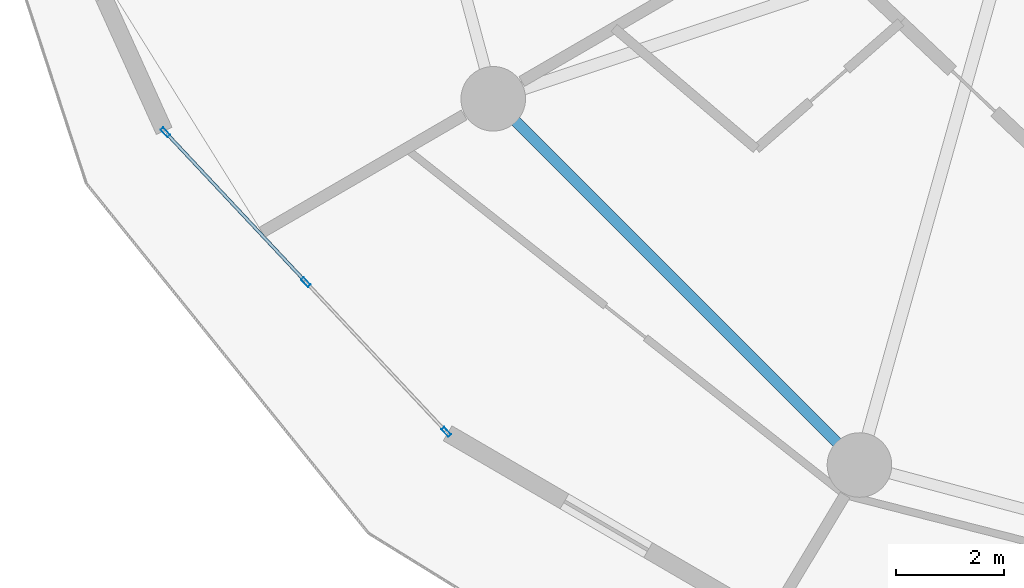
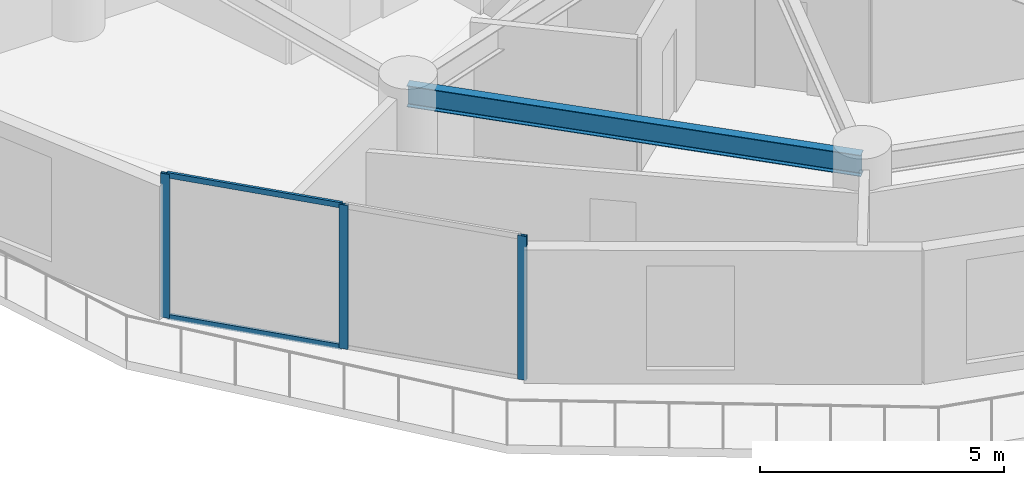
# One storey, part 2 of 23: 5 members, 1 beam, 1 element without a shape of its own.
"""IFC4 building model written with IfcOpenShell, lengths in metres."""

from ifc_helpers import new_model, si_unit, direction, frame, origin, origin_2d, place, context, subcontext, project, spatial, hollow_rectangle, i_section, extrude, source, transform, mapped, material, layer, layer_set, material_profile, profile_set, type_object, element, aggregate, save


model = new_model("IFC4")

# Units and contexts
model_context = context("Model", 3, precision=1e-05, world=origin(), true_north=direction((0.0, 1.0)))
body_context = subcontext(model_context, "Body", "Model", "MODEL_VIEW")
ifc_project = project(units=[si_unit("LENGTHUNIT", "METRE"), si_unit("AREAUNIT", "SQUARE_METRE"), si_unit("VOLUMEUNIT", "CUBIC_METRE"), si_unit("PLANEANGLEUNIT", "RADIAN"), si_unit("MASSUNIT", "GRAM", prefix="KILO")], contexts=[model_context])

# Site, building, storey
site_placement = place(None, origin())
site = spatial("IfcSite", under=ifc_project, at=site_placement, CompositionType="ELEMENT")
building_placement = place(site_placement, origin())
building = spatial("IfcBuilding", under=site, at=building_placement, Name="Solvirekh Grand Hotel", CompositionType="ELEMENT")
storey_placement = place(building_placement, frame((0.0, 0.0, 39.199951171875)))
storey = spatial("IfcBuildingStorey", under=building, at=storey_placement, Name="L08", CompositionType="ELEMENT", Elevation=39.199951171875)

# Beam
ifc_material_1 = material(Name="Steel S355", Category="steel")
ifc_material_profile_1 = material_profile(ifc_material_1, i_section(OverallWidth=0.208984375, OverallDepth=0.532958984375, WebThickness=0.010009765625, FlangeThickness=0.014892578125, FilletRadius=0.013916015625, at=origin_2d()), Name="W530X92")
ifc_profile_set_1 = profile_set([ifc_material_profile_1], Name="Steel S355")
beam_type = type_object("IfcBeamType", Name="Spandrel_Ring_W530", PredefinedType="SPANDREL", material=ifc_profile_set_1)
beam_placement = place(storey_placement, frame((-16.10791015625, -9.300048828125, 3.072998046875), z_axis=(0.707106781187, -0.707106781187, 0.0), x_axis=(0.707106781187, 0.707106781187, 0.0)))
element("IfcBeam", 1, at=beam_placement, inside=storey, type_object=beam_type, Name="L08 perimeter spandrel beam 8", PredefinedType="SPANDREL", context=body_context, shape_type="SweptSolid", body=[
    extrude(i_section(OverallWidth=0.208984375, OverallDepth=0.532958984375, WebThickness=0.010009765625, FlangeThickness=0.014892578125, FilletRadius=0.013916015625, at=origin_2d()), origin(), (0.0, 0.0, 1.0), 9.627685546875),
])

# Curtain wall, members
ifc_material_2 = material(Name="Anodized Bronze Aluminium 6063-T6", Category="aluminium")
ifc_layer = layer(ifc_material_2, 0.18994140625)
ifc_layer_set = layer_set([ifc_layer], Name="Anodized Bronze Aluminium 6063-T6")
curtain_wall_type = type_object("IfcCurtainWallType", Name="CW_Sys2_LowZoneFlushBronzeCW", PredefinedType="NOTDEFINED", material=ifc_layer_set)
curtain_wall_placement = place(storey_placement, origin())
curtain_wall = element("IfcCurtainWall", 2, at=curtain_wall_placement, inside=storey, type_object=curtain_wall_type, Name="L08 unitised bronze-glass curtain wall CW-L08-C13", PredefinedType="NOTDEFINED")
ifc_material_profile_2 = material_profile(ifc_material_2, hollow_rectangle(XDim=0.070068359375, YDim=0.18994140625, WallThickness=0.0048828125, at=origin_2d()), Name="ALU RHS 190X70X5")
ifc_profile_set_2 = profile_set([ifc_material_profile_2], Name="Anodized Bronze Aluminium 6063-T6")
member_type_1 = type_object("IfcMemberType", Name="CWMullion_Sys2", PredefinedType="MULLION", material=ifc_profile_set_2)
shared_shape_1 = source(origin(), body_context, "Body", "SweptSolid", [
    extrude(hollow_rectangle(XDim=0.070068359375, YDim=0.18994140625, WallThickness=0.0048828125, at=origin_2d()), origin(), (0.0, 0.0, 1.0), 3.60009765625),
])
member_1_placement = place(storey_placement, frame((-22.2021484375, -9.921630859375, 0.0), z_axis=(0.0, 0.0, 1.0), x_axis=(0.729577672277, 0.683897960309, 0.0)))
member_1 = element("IfcMember", 3, at=member_1_placement, type_object=member_type_1, Name="U02 mullion 1", PredefinedType="MULLION", context=body_context, shape_type="MappedRepresentation", body=[
    mapped(shared_shape_1, transform((0.0, 0.0, 0.0), x_axis=(1.0, 0.0, 0.0), y_axis=(0.0, 1.0, 0.0), z_axis=(0.0, 0.0, 1.0), scale=1.0)),
])
member_2_placement = place(storey_placement, frame((-19.591064453125, -12.70703125, 0.0), z_axis=(0.0, 0.0, 1.0), x_axis=(0.729577672277, 0.683897960309, 0.0)))
member_2 = element("IfcMember", 4, at=member_2_placement, type_object=member_type_1, Name="U02 mullion 2", PredefinedType="MULLION", context=body_context, shape_type="MappedRepresentation", body=[
    mapped(shared_shape_1, transform((0.0, 0.0, 0.0), x_axis=(1.0, 0.0, 0.0), y_axis=(0.0, 1.0, 0.0), z_axis=(0.0, 0.0, 1.0), scale=1.0)),
])
member_3_placement = place(storey_placement, frame((-16.97998046875, -15.492431640625, 0.0), z_axis=(0.0, 0.0, 1.0), x_axis=(0.729577672277, 0.683897960309, 0.0)))
member_3 = element("IfcMember", 5, at=member_3_placement, type_object=member_type_1, Name="U02 mullion 3", PredefinedType="MULLION", context=body_context, shape_type="MappedRepresentation", body=[
    mapped(shared_shape_1, transform((0.0, 0.0, 0.0), x_axis=(1.0, 0.0, 0.0), y_axis=(0.0, 1.0, 0.0), z_axis=(0.0, 0.0, 1.0), scale=1.0)),
])
ifc_material_profile_3 = material_profile(ifc_material_2, hollow_rectangle(XDim=0.06005859375, YDim=0.135009765625, WallThickness=0.00390625, at=origin_2d()), Name="ALU RHS 135X60X4")
ifc_profile_set_3 = profile_set([ifc_material_profile_3], Name="Anodized Bronze Aluminium 6063-T6")
member_type_2 = type_object("IfcMemberType", Name="CWTransom_Sys2", PredefinedType="USERDEFINED", material=ifc_profile_set_3)
shared_shape_2 = source(origin(), body_context, "Body", "SweptSolid", [
    extrude(hollow_rectangle(XDim=0.06005859375, YDim=0.135009765625, WallThickness=0.00390625, at=origin_2d()), origin(), (0.0, 0.0, 1.0), 3.748046875),
])
member_4_placement = place(storey_placement, frame((-22.17822265625, -9.947021484375, 0.030029296875), z_axis=(0.683906458922, -0.729569705679, 0.0), x_axis=(0.729569705679, 0.683906458922, 0.0)))
member_4 = element("IfcMember", 6, at=member_4_placement, type_object=member_type_2, Name="U02 transom 1.1", ObjectType="TRANSOM", PredefinedType="USERDEFINED", context=body_context, shape_type="MappedRepresentation", body=[
    mapped(shared_shape_2, transform((0.0, 0.0, 0.0), x_axis=(1.0, 0.0, 0.0), y_axis=(0.0, 1.0, 0.0), z_axis=(0.0, 0.0, 1.0), scale=1.0)),
])
member_5_placement = place(storey_placement, frame((-22.17822265625, -9.947021484375, 3.570068359375), z_axis=(0.683906458922, -0.729569705679, 0.0), x_axis=(0.729569705679, 0.683906458922, 0.0)))
member_5 = element("IfcMember", 7, at=member_5_placement, type_object=member_type_2, Name="U02 transom 1.2", ObjectType="TRANSOM", PredefinedType="USERDEFINED", context=body_context, shape_type="MappedRepresentation", body=[
    mapped(shared_shape_2, transform((0.0, 0.0, 0.0), x_axis=(1.0, 0.0, 0.0), y_axis=(0.0, 1.0, 0.0), z_axis=(0.0, 0.0, 1.0), scale=1.0)),
])
aggregate(curtain_wall, [member_1, member_2, member_3, member_4, member_5])

save(model, "model.ifc")
